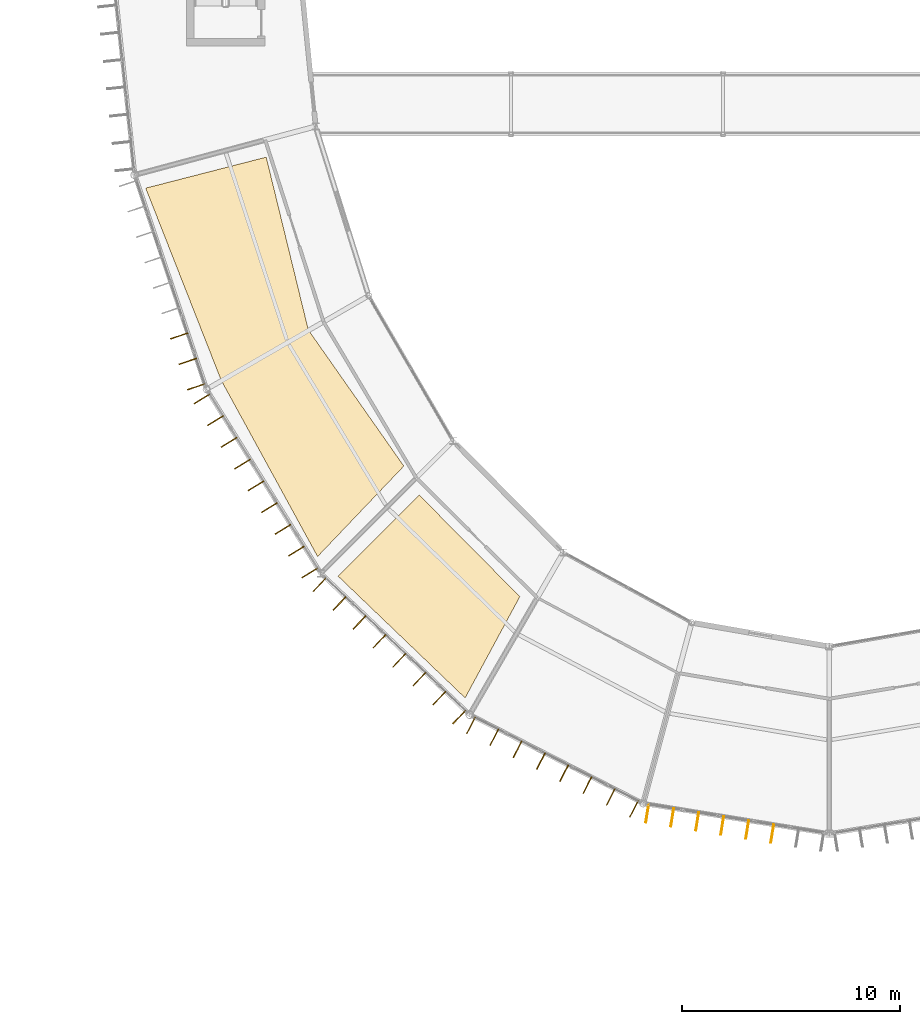
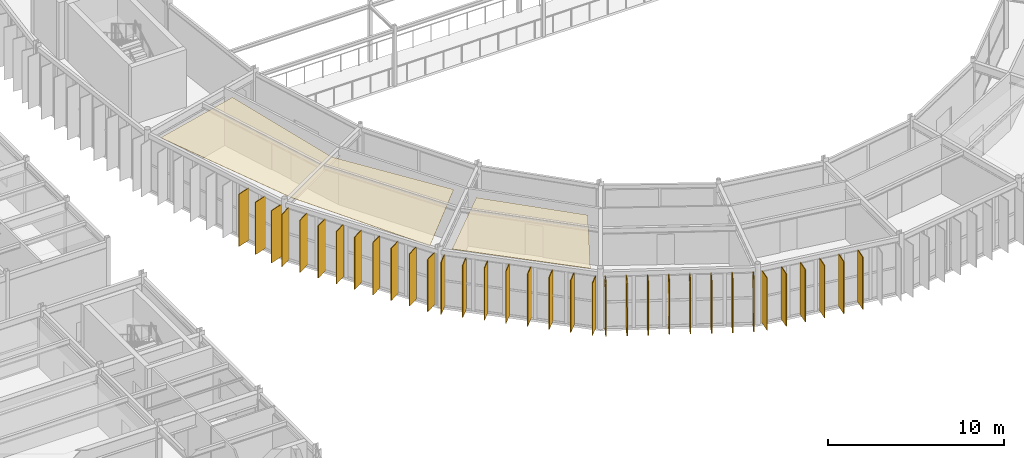
# One storey, part 134 of 148: 34 shading devices, 2 coverings.
"""IFC4 building model written with IfcOpenShell, lengths in metres."""

from ifc_helpers import new_model, si_unit, direction, frame, origin, origin_2d, place, context, subcontext, project, spatial, polyline, rectangle, outline, extrude, material, layer, layer_set, type_object, element, save


model = new_model("IFC4")

# Units and contexts
model_context = context("Model", 3, precision=1e-05, world=origin(), true_north=direction((0.0, 1.0)))
body_context = subcontext(model_context, "Body", "Model", "MODEL_VIEW")
ifc_project = project(units=[si_unit("LENGTHUNIT", "METRE"), si_unit("AREAUNIT", "SQUARE_METRE"), si_unit("VOLUMEUNIT", "CUBIC_METRE"), si_unit("PLANEANGLEUNIT", "RADIAN"), si_unit("MASSUNIT", "GRAM", prefix="KILO")], contexts=[model_context])

# Site, building, storey
site_placement = place(None, origin())
site = spatial("IfcSite", under=ifc_project, at=site_placement, CompositionType="ELEMENT")
building_placement = place(site_placement, origin())
building = spatial("IfcBuilding", under=site, at=building_placement, Name="Karori Crest Natural Sciences Institute", CompositionType="ELEMENT")
storey_placement = place(building_placement, frame((0.0, 0.0, 4.89990234375)))
storey = spatial("IfcBuildingStorey", under=building, at=storey_placement, Name="L01", CompositionType="ELEMENT", Elevation=4.89990234375)

# Coverings
ifc_material_1 = material(Name="Acoustic mineral fibre ceiling tile")
ifc_layer_1 = layer(ifc_material_1, 0.02490234375, Name="Acoustic mineral fibre ceiling tile")
ifc_layer_set_1 = layer_set([ifc_layer_1], Name="Acoustic mineral fibre ceiling tile")
covering_type = type_object("IfcCoveringType", Name="CVT-CEIL", PredefinedType="CEILING", material=ifc_layer_set_1)
covering_1_placement = place(storey_placement, frame((0.0, 0.0, 3.705078125)))
element("IfcCovering", 1, at=covering_1_placement, inside=storey, type_object=covering_type, Name="Acoustic ceiling CLG-0060", PredefinedType="CEILING", context=body_context, shape_type="SweptSolid", body=[
    extrude(outline(polyline([(42.493896484375, 32.2275390625), (40.561279296875, 40.156494140625), (35.03076171875, 38.73388671875), (38.497314453125, 29.908935546875), (42.91845703125, 21.826171875), (46.876953125, 25.978271484375), (42.493896484375, 32.2275390625)])), origin(), (0.0, 0.0, 1.0), 0.02490234375),
])
covering_2_placement = place(storey_placement, frame((0.0, 0.0, 3.705078125)))
element("IfcCovering", 2, at=covering_2_placement, inside=storey, type_object=covering_type, Name="Acoustic ceiling CLG-0061", PredefinedType="CEILING", context=body_context, shape_type="SweptSolid", body=[
    extrude(outline(polyline([(52.20166015625, 19.988525390625), (47.58642578125, 24.64599609375), (43.8564453125, 20.929443359375), (49.689453125, 15.337890625), (52.20166015625, 19.988525390625)])), origin(), (0.0, 0.0, 1.0), 0.02490234375),
])

# Shading devices
ifc_material_2 = material(Name="Anodised architectural aluminium 6063-T6", Category="aluminium")
ifc_layer_2 = layer(ifc_material_2, 0.044921875, Name="Anodised architectural aluminium 6063-T6")
ifc_layer_set_2 = layer_set([ifc_layer_2], Name="Anodised architectural aluminium 6063-T6")
shading_device_type = type_object("IfcShadingDeviceType", Name="SDT-FIN", PredefinedType="USERDEFINED", material=ifc_layer_set_2)
for number, where, z_axis, x_axis, name in (
    (3, (37.349853515625, 29.6162109375, 0.0), (0.0, 0.0, 1.0), (-0.948196204549, -0.317685312343, 0.0), "Vertical solar fin FN-0112"),
    (4, (36.958984375, 30.78271484375, 0.0), (0.0, 0.0, 1.0), (-0.948196204549, -0.317685312343, 0.0), "Vertical solar fin FN-0113"),
    (5, (36.568115234375, 31.94921875, 0.0), (0.0, 0.0, 1.0), (-0.948196204549, -0.317685312343, 0.0), "Vertical solar fin FN-0114"),
    (6, (42.56396484375, 21.08056640625, 0.0), (0.0, 0.0, 1.0), (-0.849665445313, -0.527322132136, 0.0), "Vertical solar fin FN-0121"),
    (7, (41.94482421875, 22.078369140625, 0.0), (0.0, 0.0, 1.0), (-0.849665445313, -0.527322132136, 0.0), "Vertical solar fin FN-0122"),
    (8, (41.325439453125, 23.076171875, 0.0), (0.0, 0.0, 1.0), (-0.849665445313, -0.527322132136, 0.0), "Vertical solar fin FN-0123"),
    (9, (40.706298828125, 24.073974609375, 0.0), (0.0, 0.0, 1.0), (-0.849665445313, -0.527322132136, 0.0), "Vertical solar fin FN-0124"),
    (10, (40.0869140625, 25.07177734375, 0.0), (0.0, 0.0, 1.0), (-0.849665445313, -0.527322132136, 0.0), "Vertical solar fin FN-0125"),
    (11, (39.4677734375, 26.069580078125, 0.0), (0.0, 0.0, 1.0), (-0.849665445313, -0.527322132136, 0.0), "Vertical solar fin FN-0126"),
    (12, (38.848388671875, 27.0673828125, 0.0), (0.0, 0.0, 1.0), (-0.849665445313, -0.527322132136, 0.0), "Vertical solar fin FN-0127"),
    (13, (38.229248046875, 28.065185546875, 0.0), (0.0, 0.0, 1.0), (-0.849665445313, -0.527322132136, 0.0), "Vertical solar fin FN-0128"),
    (14, (37.610107421875, 29.06298828125, 0.0), (0.0, 0.0, 1.0), (-0.849665445313, -0.527322132136, 0.0), "Vertical solar fin FN-0129"),
    (15, (49.417724609375, 14.45849609375, 0.0), (0.0, 0.0, 1.0), (-0.688245690469, -0.725477683703, 0.0), "Vertical solar fin FN-0130"),
    (16, (48.50244140625, 15.326904296875, 0.0), (0.0, 0.0, 1.0), (-0.688245690469, -0.725477683703, 0.0), "Vertical solar fin FN-0131"),
    (17, (47.5869140625, 16.195556640625, 0.0), (0.0, 0.0, 1.0), (-0.688245690469, -0.725477683703, 0.0), "Vertical solar fin FN-0132"),
    (18, (46.67138671875, 17.06396484375, 0.0), (0.0, 0.0, 1.0), (-0.688245690469, -0.725477683703, 0.0), "Vertical solar fin FN-0133"),
    (19, (45.756103515625, 17.932373046875, 0.0), (0.0, 0.0, 1.0), (-0.688245690469, -0.725477683703, 0.0), "Vertical solar fin FN-0134"),
    (20, (44.8408203125, 18.80078125, 0.0), (0.0, 0.0, 1.0), (-0.688245690469, -0.725477683703, 0.0), "Vertical solar fin FN-0135"),
    (21, (43.92529296875, 19.669189453125, 0.0), (0.0, 0.0, 1.0), (-0.688245690469, -0.725477683703, 0.0), "Vertical solar fin FN-0136"),
    (22, (43.010009765625, 20.53759765625, 0.0), (0.0, 0.0, 1.0), (-0.688245690469, -0.725477683703, 0.0), "Vertical solar fin FN-0137"),
    (23, (57.440673828125, 10.243896484375, 0.0), (0.0, 0.0, 1.0), (-0.455832320655, -0.890065669176, 0.0), "Vertical solar fin FN-0138"),
    (24, (56.371826171875, 10.791259765625, 0.0), (0.0, 0.0, 1.0), (-0.455832320655, -0.890065669176, 0.0), "Vertical solar fin FN-0139"),
    (25, (55.302978515625, 11.338623046875, 0.0), (0.0, 0.0, 1.0), (-0.455832320655, -0.890065669176, 0.0), "Vertical solar fin FN-0140"),
    (26, (54.234130859375, 11.885986328125, 0.0), (0.0, 0.0, 1.0), (-0.455832320655, -0.890065669176, 0.0), "Vertical solar fin FN-0141"),
    (27, (53.165283203125, 12.433349609375, 0.0), (0.0, 0.0, 1.0), (-0.455832320655, -0.890065669176, 0.0), "Vertical solar fin FN-0142"),
    (28, (52.096435546875, 12.980712890625, 0.0), (0.0, 0.0, 1.0), (-0.455832320655, -0.890065669176, 0.0), "Vertical solar fin FN-0143"),
    (29, (51.027587890625, 13.5283203125, 0.0), (0.0, 0.0, 1.0), (-0.455832320655, -0.890065669176, 0.0), "Vertical solar fin FN-0144"),
    (30, (49.95849609375, 14.07568359375, 0.0), (0.0, 0.0, 1.0), (-0.455832320655, -0.890065669176, 0.0), "Vertical solar fin FN-0145"),
    (31, (63.787109375, 9.10986328125, 0.0), (0.0, 0.0, 1.0), (-0.160651265334, -0.987011231419, 0.0), "Vertical solar fin FN-0148"),
    (32, (62.6396484375, 9.296630859375, 0.0), (0.0, 0.0, 1.0), (-0.160651265334, -0.987011231419, 0.0), "Vertical solar fin FN-0149"),
    (33, (61.4921875, 9.4833984375, 0.0), (0.0, 0.0, 1.0), (-0.160651265334, -0.987011231419, 0.0), "Vertical solar fin FN-0150"),
    (34, (60.344482421875, 9.670166015625, 0.0), (0.0, 0.0, 1.0), (-0.160651265334, -0.987011231419, 0.0), "Vertical solar fin FN-0151"),
    (35, (59.197265625, 9.85693359375, 0.0), (0.0, 0.0, 1.0), (-0.160651265334, -0.987011231419, 0.0), "Vertical solar fin FN-0152"),
    (36, (58.0498046875, 10.043701171875, 0.0), (0.0, 0.0, 1.0), (-0.160651265334, -0.987011231419, 0.0), "Vertical solar fin FN-0153"),
):
    element("IfcShadingDevice", number, at=place(storey_placement, frame(where, z_axis=z_axis, x_axis=x_axis)), inside=storey, type_object=shading_device_type, Name=name, ObjectType="SOLAR_FIN", PredefinedType="USERDEFINED", context=body_context, shape_type="SweptSolid", body=[
        extrude(rectangle(XDim=0.85009765625, YDim=0.044921875, at=origin_2d()), origin(), (0.0, 0.0, 1.0), 3.625),
    ])

save(model, "model.ifc")
